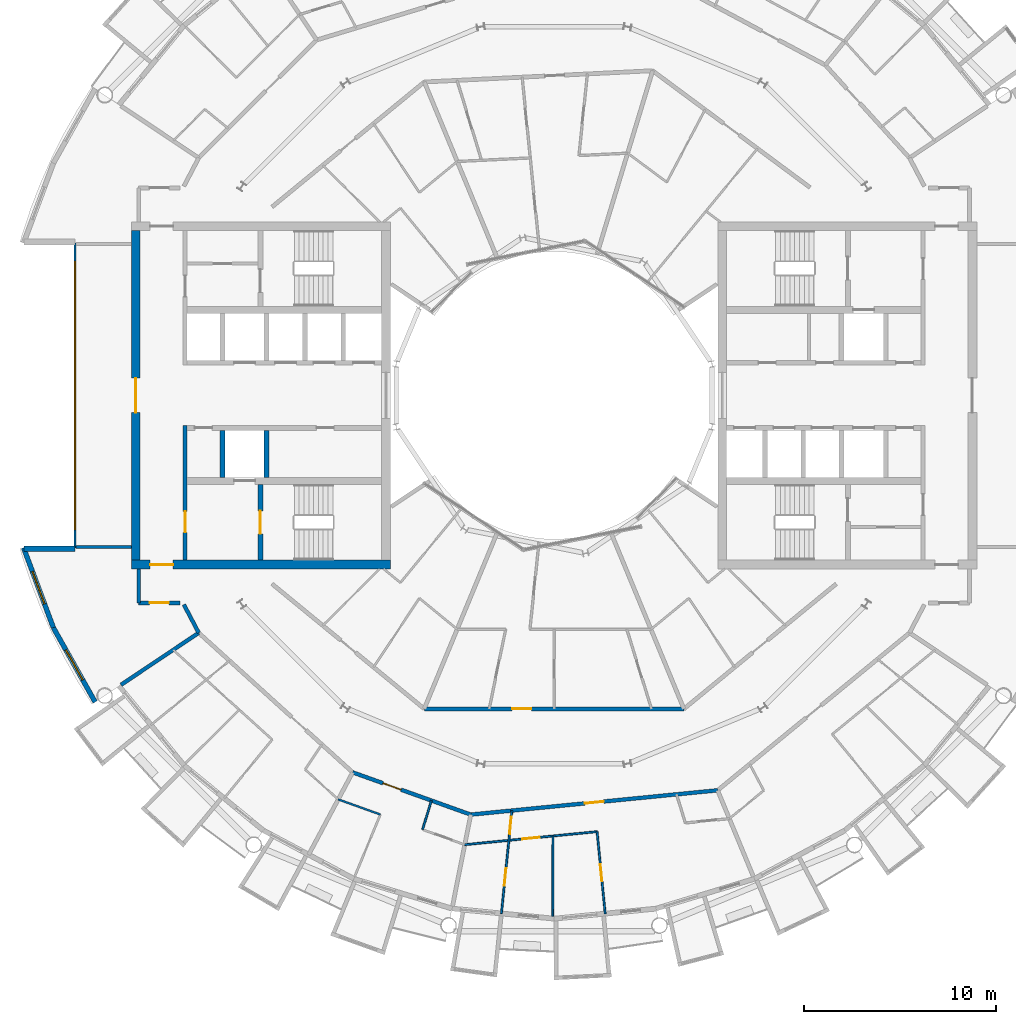
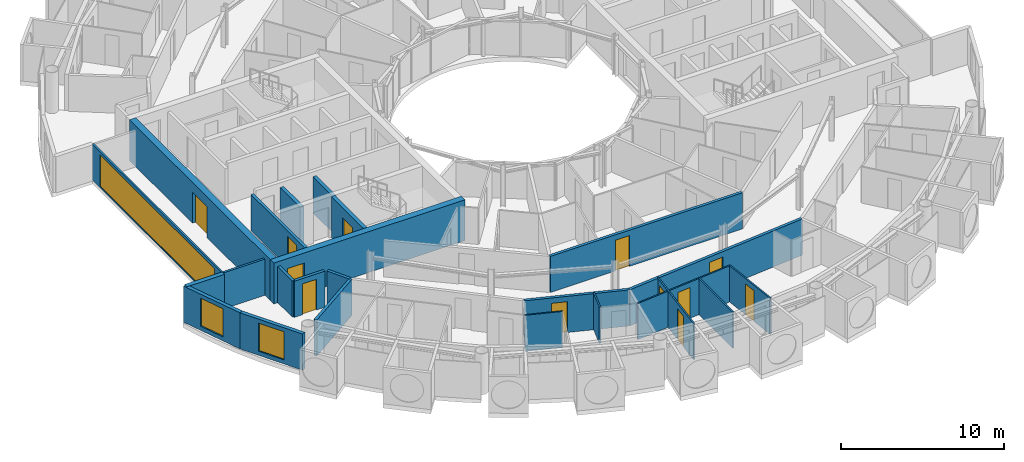
# One storey, part 16 of 29: 24 walls, 12 doors, 3 windows, 15 openings.
"""IFC4 building model written with IfcOpenShell, lengths in metres."""

from ifc_helpers import new_model, si_unit, direction, frame, frame_2d, origin, place, context, subcontext, project, spatial, rectangle, extrude, material, layer, layer_set, type_object, element, fill, save


model = new_model("IFC4")

# Units and contexts
model_context = context("Model", 3, precision=1e-05, world=origin(), true_north=direction((0.0, 1.0)))
body_context = subcontext(model_context, "Body", "Model", "MODEL_VIEW")
ifc_project = project(units=[si_unit("LENGTHUNIT", "METRE"), si_unit("AREAUNIT", "SQUARE_METRE"), si_unit("VOLUMEUNIT", "CUBIC_METRE"), si_unit("PLANEANGLEUNIT", "RADIAN"), si_unit("MASSUNIT", "GRAM", prefix="KILO")], contexts=[model_context])

# Site, building, storey
site_placement = place(None, origin())
site = spatial("IfcSite", under=ifc_project, at=site_placement, CompositionType="ELEMENT")
building_placement = place(site_placement, origin())
building = spatial("IfcBuilding", under=site, at=building_placement, Name="Maasbend Ring Residences", CompositionType="ELEMENT")
storey_placement = place(building_placement, frame((0.0, 0.0, 202.39990234375)))
storey = spatial("IfcBuildingStorey", under=building, at=storey_placement, Name="L58", CompositionType="ELEMENT", Elevation=202.39990234375)

# Wall, opening, door
ifc_material_1 = material(Name="Concrete C50/60", Category="concrete")
ifc_layer_1 = layer(ifc_material_1, 0.25)
ifc_layer_set_1 = layer_set([ifc_layer_1], Name="Concrete C50/60")
wall_type_1 = type_object("IfcWallType", Name="CORE WALL 250 C50/60", PredefinedType="SHEAR", material=ifc_layer_set_1)
wall_1_placement = place(storey_placement, frame((-15.324951171875, -4.64990234375, 0.0), z_axis=(0.0, 0.0, 1.0), x_axis=(0.0, -1.0, 0.0)))
wall_1 = element("IfcWall", 1, at=wall_1_placement, inside=storey, type_object=wall_type_1, Name="L58 core W wall STEN", PredefinedType="SHEAR", context=body_context, shape_type="SweptSolid", body=[
    extrude(rectangle(XDim=3.9501953125, YDim=0.25, at=frame_2d((1.97509765625, 0.0))), origin(), (0.0, 0.0, 1.0), 3.050048828125),
])
opening_1_placement = place(wall_1_placement, frame((1.375, 0.0, 0.0)))
opening_1 = element("IfcOpeningElement", 2, at=opening_1_placement, cuts=wall_1, Name="Opening D-W5809", PredefinedType="OPENING", context=body_context, shape_type="SweptSolid", body=[
    extrude(rectangle(XDim=1.199951171875, YDim=2.300048828125, at=frame_2d((0.60009765625, 1.14990234375))), frame((0.0, 0.135009765625, 0.0), z_axis=(0.0, -1.0, 0.0), x_axis=(1.0, 0.0, 0.0)), (0.0, 0.0, 1.0), 0.27001953125),
])
ifc_material_2 = material(Name="Steel, powder coated", Category="steel")
door_type_1 = type_object("IfcDoorType", Name="STAIR DOOR 1200 X 2300 FD60", OperationType="NOTDEFINED", PredefinedType="DOOR", material=ifc_material_2)
door_1_placement = place(opening_1_placement, origin())
door_1 = element("IfcDoor", 3, at=door_1_placement, inside=storey, type_object=door_type_1, Name="Stair door ST-W L58", OperationType="SINGLE_SWING_LEFT", OverallHeight=2.300048828125, OverallWidth=1.199951171875, PredefinedType="DOOR", context=body_context, shape_type="SweptSolid", body=[
    extrude(rectangle(XDim=1.199951171875, YDim=2.300048828125, at=frame_2d((0.60009765625, 1.14990234375))), frame((0.0, 0.02490234375, 0.0), z_axis=(0.0, -1.0, 0.0), x_axis=(1.0, 0.0, 0.0)), (0.0, 0.0, 1.0), 0.050048828125),
])
fill(opening_1, door_1)

ifc_material_3 = material(Name="Concrete C50/60", Category="concrete")
ifc_layer_2 = layer(ifc_material_3, 0.449951171875)
ifc_layer_set_2 = layer_set([ifc_layer_2], Name="Concrete C50/60")
wall_type_2 = type_object("IfcWallType", Name="CORE WALL 450 C50/60", PredefinedType="SHEAR", material=ifc_layer_set_2)
wall_2_placement = place(storey_placement, frame((-22.050048828125, -8.824951171875, 0.0), z_axis=(0.0, 0.0, 1.0), x_axis=(1.0, 0.0, 0.0)))
wall_2 = element("IfcWall", 4, at=wall_2_placement, inside=storey, type_object=wall_type_2, Name="L58 core W wall PN", PredefinedType="SHEAR", context=body_context, shape_type="SweptSolid", body=[
    extrude(rectangle(XDim=13.5, YDim=0.449951171875, at=frame_2d((6.75, 0.0))), origin(), (0.0, 0.0, 1.0), 3.050048828125),
])
opening_2_placement = place(wall_2_placement, frame((0.97509765625, 0.0, 0.0)))
opening_2 = element("IfcOpeningElement", 5, at=opening_2_placement, cuts=wall_2, Name="Opening D-W5813", PredefinedType="OPENING", context=body_context, shape_type="SweptSolid", body=[
    extrude(rectangle(XDim=1.199951171875, YDim=2.300048828125, at=frame_2d((0.60009765625, 1.14990234375))), frame((0.0, 0.23486328125, 0.0), z_axis=(0.0, -1.0, 0.0), x_axis=(1.0, 0.0, 0.0)), (0.0, 0.0, 1.0), 0.469970703125),
])
ifc_material_4 = material(Name="Steel, powder coated", Category="steel")
door_type_2 = type_object("IfcDoorType", Name="CORRIDOR DOOR 1200 X 2300 FD30S", OperationType="NOTDEFINED", PredefinedType="DOOR", material=ifc_material_4)
door_2_placement = place(opening_2_placement, origin())
door_2 = element("IfcDoor", 6, at=door_2_placement, inside=storey, type_object=door_type_2, Name="Corridor door L58", OperationType="SINGLE_SWING_RIGHT", OverallHeight=2.300048828125, OverallWidth=1.199951171875, PredefinedType="DOOR", context=body_context, shape_type="SweptSolid", body=[
    extrude(rectangle(XDim=1.199951171875, YDim=2.300048828125, at=frame_2d((0.60009765625, 1.14990234375))), frame((0.0, 0.02490234375, 0.0), z_axis=(0.0, -1.0, 0.0), x_axis=(1.0, 0.0, 0.0)), (0.0, 0.0, 1.0), 0.050048828125),
])
fill(opening_2, door_2)

wall_3_placement = place(storey_placement, frame((-21.824951171875, -8.60009765625, 0.0), z_axis=(0.0, 0.0, 1.0), x_axis=(0.0, 1.0, 0.0)))
wall_3 = element("IfcWall", 7, at=wall_3_placement, inside=storey, type_object=wall_type_2, Name="L58 core W wall POUT", PredefinedType="SHEAR", context=body_context, shape_type="SweptSolid", body=[
    extrude(rectangle(XDim=17.2001953125, YDim=0.449951171875, at=frame_2d((8.60009765625, 0.0))), origin(), (0.0, 0.0, 1.0), 3.050048828125),
])
opening_3_placement = place(wall_3_placement, frame((7.699951171875, 0.0, 0.0)))
opening_3 = element("IfcOpeningElement", 8, at=opening_3_placement, cuts=wall_3, Name="Opening D-W5815", PredefinedType="OPENING", context=body_context, shape_type="SweptSolid", body=[
    extrude(rectangle(XDim=1.800048828125, YDim=2.300048828125, at=frame_2d((0.89990234375, 1.14990234375))), frame((0.0, 0.23486328125, 0.0), z_axis=(0.0, -1.0, 0.0), x_axis=(1.0, 0.0, 0.0)), (0.0, 0.0, 1.0), 0.469970703125),
])
ifc_material_5 = material(Name="Aluminium frame, clear glass", Category="aluminium")
door_type_3 = type_object("IfcDoorType", Name="ENTRANCE DOOR 1800 X 2300 FD60", OperationType="NOTDEFINED", PredefinedType="DOOR", material=ifc_material_5)
door_3_placement = place(opening_3_placement, origin())
door_3 = element("IfcDoor", 9, at=door_3_placement, inside=storey, type_object=door_type_3, Name="Lobby glazed door L58", OperationType="SINGLE_SWING_LEFT", OverallHeight=2.300048828125, OverallWidth=1.800048828125, PredefinedType="DOOR", context=body_context, shape_type="SweptSolid", body=[
    extrude(rectangle(XDim=1.800048828125, YDim=2.300048828125, at=frame_2d((0.89990234375, 1.14990234375))), frame((0.0, 0.02490234375, 0.0), z_axis=(0.0, -1.0, 0.0), x_axis=(1.0, 0.0, 0.0)), (0.0, 0.0, 1.0), 0.050048828125),
])
fill(opening_3, door_3)

# Wall
ifc_material_6 = material(Name="Concrete C30/37", Category="concrete")
ifc_layer_3 = layer(ifc_material_6, 0.199951171875)
ifc_layer_set_3 = layer_set([ifc_layer_3], Name="Concrete C30/37")
wall_type_3 = type_object("IfcWallType", Name="CORRIDOR WALL 200 CONCRETE", PredefinedType="PARTITIONING", material=ifc_layer_set_3)
wall_4_placement = place(storey_placement, frame((-19.31689453125, -10.9150390625, 0.0), z_axis=(0.0, 0.0, 1.0), x_axis=(0.465359652486, -0.885121683068, 0.0)))
element("IfcWall", 10, at=wall_4_placement, inside=storey, type_object=wall_type_3, Name="U-L58-w009", PredefinedType="PARTITIONING", context=body_context, shape_type="SweptSolid", body=[
    extrude(rectangle(XDim=1.665283203125, YDim=0.199951171875, at=frame_2d((0.83251953125, 0.0))), origin(), (0.0, 0.0, 1.0), 2.7001953125),
])

# Wall, opening, door
wall_5_placement = place(storey_placement, frame((-10.511962890625, -19.6669921875, 0.0), z_axis=(0.0, 0.0, 1.0), x_axis=(0.941518972512, -0.336959974478, 0.0)))
wall_5 = element("IfcWall", 11, at=wall_5_placement, inside=storey, type_object=wall_type_3, Name="U-L58-w011", PredefinedType="PARTITIONING", context=body_context, shape_type="SweptSolid", body=[
    extrude(rectangle(XDim=6.546875, YDim=0.199951171875, at=frame_2d((3.2734375, 0.0))), origin(), (0.0, 0.0, 1.0), 2.7001953125),
])
opening_4_placement = place(wall_5_placement, frame((1.681884765625, 0.0, 0.0)))
opening_4 = element("IfcOpeningElement", 12, at=opening_4_placement, cuts=wall_5, Name="Opening D-5840", PredefinedType="OPENING", context=body_context, shape_type="SweptSolid", body=[
    extrude(rectangle(XDim=1.0, YDim=2.300048828125, at=frame_2d((0.5, 1.14990234375))), frame((0.0, 0.10986328125, 0.0), z_axis=(0.0, -1.0, 0.0), x_axis=(1.0, 0.0, 0.0)), (0.0, 0.0, 1.0), 0.219970703125),
])
ifc_material_7 = material(Name="Timber, fire-rated, painted", Category="wood")
door_type_4 = type_object("IfcDoorType", Name="FLAT ENTRANCE DOOR 1000 X 2300 FIRE-RATED", OperationType="NOTDEFINED", PredefinedType="DOOR", material=ifc_material_7)
door_4_placement = place(opening_4_placement, origin())
door_4 = element("IfcDoor", 13, at=door_4_placement, inside=storey, type_object=door_type_4, Name="D-5840", OperationType="SINGLE_SWING_LEFT", OverallHeight=2.300048828125, OverallWidth=1.0, PredefinedType="DOOR", context=body_context, shape_type="SweptSolid", body=[
    extrude(rectangle(XDim=1.0, YDim=2.300048828125, at=frame_2d((0.5, 1.14990234375))), frame((0.0, 0.02490234375, 0.0), z_axis=(0.0, -1.0, 0.0), x_axis=(1.0, 0.0, 0.0)), (0.0, 0.0, 1.0), 0.050048828125),
])
fill(opening_4, door_4)

wall_6_placement = place(storey_placement, frame((-4.35498046875, -21.8720703125, 0.0), z_axis=(0.0, 0.0, 1.0), x_axis=(0.995184945277, 0.098014920772, 0.0)))
wall_6 = element("IfcWall", 14, at=wall_6_placement, inside=storey, type_object=wall_type_3, Name="U-L58-w015", PredefinedType="PARTITIONING", context=body_context, shape_type="SweptSolid", body=[
    extrude(rectangle(XDim=12.95751953125, YDim=0.199951171875, at=frame_2d((6.478759765625, 0.0))), origin(), (0.0, 0.0, 1.0), 2.7001953125),
])
opening_5_placement = place(wall_6_placement, frame((5.97802734375, 0.0, 0.0)))
opening_5 = element("IfcOpeningElement", 15, at=opening_5_placement, cuts=wall_6, Name="Opening D-5843", PredefinedType="OPENING", context=body_context, shape_type="SweptSolid", body=[
    extrude(rectangle(XDim=1.0, YDim=2.300048828125, at=frame_2d((0.5, 1.14990234375))), frame((0.0, 0.10986328125, 0.0), z_axis=(0.0, -1.0, 0.0), x_axis=(1.0, 0.0, 0.0)), (0.0, 0.0, 1.0), 0.219970703125),
])
door_5_placement = place(opening_5_placement, origin())
door_5 = element("IfcDoor", 16, at=door_5_placement, inside=storey, type_object=door_type_4, Name="D-5843", OperationType="SINGLE_SWING_LEFT", OverallHeight=2.300048828125, OverallWidth=1.0, PredefinedType="DOOR", context=body_context, shape_type="SweptSolid", body=[
    extrude(rectangle(XDim=1.0, YDim=2.300048828125, at=frame_2d((0.5, 1.14990234375))), frame((0.0, 0.02490234375, 0.0), z_axis=(0.0, -1.0, 0.0), x_axis=(1.0, 0.0, 0.0)), (0.0, 0.0, 1.0), 0.050048828125),
])
fill(opening_5, door_5)

wall_7_placement = place(storey_placement, frame((-6.77294921875, -16.35302734375, 0.0), z_axis=(0.0, 0.0, 1.0), x_axis=(1.0, 0.0, 0.0)))
wall_7 = element("IfcWall", 17, at=wall_7_placement, inside=storey, type_object=wall_type_3, Name="U-L58-w019", PredefinedType="PARTITIONING", context=body_context, shape_type="SweptSolid", body=[
    extrude(rectangle(XDim=13.5458984375, YDim=0.199951171875, at=frame_2d((6.77294921875, 0.0))), origin(), (0.0, 0.0, 1.0), 2.7001953125),
])
opening_6_placement = place(wall_7_placement, frame((4.5791015625, 0.0, 0.0)))
opening_6 = element("IfcOpeningElement", 18, at=opening_6_placement, cuts=wall_7, Name="Opening D-5859", PredefinedType="OPENING", context=body_context, shape_type="SweptSolid", body=[
    extrude(rectangle(XDim=1.0, YDim=2.300048828125, at=frame_2d((0.5, 1.14990234375))), frame((0.0, 0.10986328125, 0.0), z_axis=(0.0, -1.0, 0.0), x_axis=(1.0, 0.0, 0.0)), (0.0, 0.0, 1.0), 0.219970703125),
])
door_6_placement = place(opening_6_placement, origin())
door_6 = element("IfcDoor", 19, at=door_6_placement, inside=storey, type_object=door_type_4, Name="D-5859", OperationType="SINGLE_SWING_LEFT", OverallHeight=2.300048828125, OverallWidth=1.0, PredefinedType="DOOR", context=body_context, shape_type="SweptSolid", body=[
    extrude(rectangle(XDim=1.0, YDim=2.300048828125, at=frame_2d((0.5, 1.14990234375))), frame((0.0, 0.02490234375, 0.0), z_axis=(0.0, -1.0, 0.0), x_axis=(1.0, 0.0, 0.0)), (0.0, 0.0, 1.0), 0.050048828125),
])
fill(opening_6, door_6)

wall_8_placement = place(storey_placement, frame((-21.675048828125, -10.824951171875, 0.0), z_axis=(0.0, 0.0, 1.0), x_axis=(1.0, 0.0, 0.0)))
wall_8 = element("IfcWall", 20, at=wall_8_placement, inside=storey, type_object=wall_type_3, Name="U-L58-w026", PredefinedType="PARTITIONING", context=body_context, shape_type="SweptSolid", body=[
    extrude(rectangle(XDim=2.152099609375, YDim=0.199951171875, at=frame_2d((1.076171875, 0.0))), origin(), (0.0, 0.0, 1.0), 2.7001953125),
])
opening_7_placement = place(wall_8_placement, frame((0.575927734375, 0.0, 0.0)))
opening_7 = element("IfcOpeningElement", 21, at=opening_7_placement, cuts=wall_8, Name="Opening D-5868", PredefinedType="OPENING", context=body_context, shape_type="SweptSolid", body=[
    extrude(rectangle(XDim=1.0, YDim=2.300048828125, at=frame_2d((0.5, 1.14990234375))), frame((0.0, 0.10986328125, 0.0), z_axis=(0.0, -1.0, 0.0), x_axis=(1.0, 0.0, 0.0)), (0.0, 0.0, 1.0), 0.219970703125),
])
ifc_material_8 = material(Name="Timber, painted", Category="wood")
door_type_5 = type_object("IfcDoorType", Name="ROOM DOOR 1000 X 2300", OperationType="NOTDEFINED", PredefinedType="DOOR", material=ifc_material_8)
door_7_placement = place(opening_7_placement, origin())
door_7 = element("IfcDoor", 22, at=door_7_placement, inside=storey, type_object=door_type_5, Name="D-5868", OperationType="SINGLE_SWING_LEFT", OverallHeight=2.300048828125, OverallWidth=1.0, PredefinedType="DOOR", context=body_context, shape_type="SweptSolid", body=[
    extrude(rectangle(XDim=1.0, YDim=2.300048828125, at=frame_2d((0.5, 1.14990234375))), frame((0.0, 0.02490234375, 0.0), z_axis=(0.0, -1.0, 0.0), x_axis=(1.0, 0.0, 0.0)), (0.0, 0.0, 1.0), 0.050048828125),
])
fill(opening_7, door_7)

# Wall
wall_9_placement = place(storey_placement, frame((-21.675048828125, -10.824951171875, 0.0), z_axis=(0.0, 0.0, 1.0), x_axis=(0.0, 1.0, 0.0)))
element("IfcWall", 23, at=wall_9_placement, inside=storey, type_object=wall_type_3, Name="U-L58-w105", PredefinedType="PARTITIONING", context=body_context, shape_type="SweptSolid", body=[
    extrude(rectangle(XDim=1.77490234375, YDim=0.199951171875, at=frame_2d((0.887451171875, 0.0))), origin(), (0.0, 0.0, 1.0), 2.7001953125),
])

# Wall, opening, window
ifc_material_9 = material(Name="Aluminium clad insulated panel", Category="aluminium")
ifc_layer_4 = layer(ifc_material_9, 0.25)
ifc_layer_set_4 = layer_set([ifc_layer_4], Name="EW-HORN")
wall_type_4 = type_object("IfcWallType", Name="EW-HORN", PredefinedType="SOLIDWALL", material=ifc_layer_set_4)
wall_10_placement = place(storey_placement, frame((-27.681884765625, -7.945068359375, 0.0), z_axis=(0.0, 0.0, 1.0), x_axis=(0.349247811493, -0.937030397675, 0.0)))
wall_10 = element("IfcWall", 24, at=wall_10_placement, inside=storey, type_object=wall_type_4, Name="Horn wall 3.1", PredefinedType="SOLIDWALL", context=body_context, shape_type="SweptSolid", body=[
    extrude(rectangle(XDim=4.4521484375, YDim=0.25, at=frame_2d((2.22607421875, 0.0))), origin(), (0.0, 0.0, 1.0), 2.7001953125),
])
opening_8_placement = place(wall_10_placement, frame((1.32666015625, 0.0, 0.300048828125)))
opening_8 = element("IfcOpeningElement", 25, at=opening_8_placement, cuts=wall_10, Name="Opening W-BX", PredefinedType="OPENING", context=body_context, shape_type="SweptSolid", body=[
    extrude(rectangle(XDim=1.800048828125, YDim=2.10009765625, at=frame_2d((0.89990234375, 1.050048828125))), frame((0.0, 0.135009765625, 0.0), z_axis=(0.0, -1.0, 0.0), x_axis=(1.0, 0.0, 0.0)), (0.0, 0.0, 1.0), 0.27001953125),
])
ifc_material_10 = material(Name="Aluminium and clear glass", Category="aluminium")
window_type_1 = type_object("IfcWindowType", Name="W-BX", PartitioningType="DOUBLE_PANEL_VERTICAL", PredefinedType="WINDOW", material=ifc_material_10)
window_1_placement = place(opening_8_placement, origin())
window_1 = element("IfcWindow", 26, at=window_1_placement, inside=storey, type_object=window_type_1, Name="Horn window 3.1", OverallHeight=2.10009765625, OverallWidth=1.800048828125, PartitioningType="SINGLE_PANEL", PredefinedType="WINDOW", context=body_context, shape_type="SweptSolid", body=[
    extrude(rectangle(XDim=1.800048828125, YDim=2.10009765625, at=frame_2d((0.89990234375, 1.050048828125))), frame((0.0, 0.030029296875, 0.0), z_axis=(0.0, -1.0, 0.0), x_axis=(1.0, 0.0, 0.0)), (0.0, 0.0, 1.0), 0.06005859375),
])
fill(opening_8, window_1)

wall_11_placement = place(storey_placement, frame((-26.126953125, -12.116943359375, 0.0), z_axis=(0.0, 0.0, 1.0), x_axis=(0.489696356642, -0.871893042919, 0.0)))
wall_11 = element("IfcWall", 27, at=wall_11_placement, inside=storey, type_object=wall_type_4, Name="Horn wall 3.2", PredefinedType="SOLIDWALL", context=body_context, shape_type="SweptSolid", body=[
    extrude(rectangle(XDim=4.45361328125, YDim=0.25, at=frame_2d((2.226806640625, 0.0))), origin(), (0.0, 0.0, 1.0), 2.7001953125),
])
opening_9_placement = place(wall_11_placement, frame((1.32666015625, 0.0, 0.300048828125)))
opening_9 = element("IfcOpeningElement", 28, at=opening_9_placement, cuts=wall_11, Name="Opening W-BX", PredefinedType="OPENING", context=body_context, shape_type="SweptSolid", body=[
    extrude(rectangle(XDim=1.800048828125, YDim=2.10009765625, at=frame_2d((0.89990234375, 1.050048828125))), frame((0.0, 0.135009765625, 0.0), z_axis=(0.0, -1.0, 0.0), x_axis=(1.0, 0.0, 0.0)), (0.0, 0.0, 1.0), 0.27001953125),
])
window_2_placement = place(opening_9_placement, origin())
window_2 = element("IfcWindow", 29, at=window_2_placement, inside=storey, type_object=window_type_1, Name="Horn window 3.2", OverallHeight=2.10009765625, OverallWidth=1.800048828125, PartitioningType="SINGLE_PANEL", PredefinedType="WINDOW", context=body_context, shape_type="SweptSolid", body=[
    extrude(rectangle(XDim=1.800048828125, YDim=2.10009765625, at=frame_2d((0.89990234375, 1.050048828125))), frame((0.0, 0.030029296875, 0.0), z_axis=(0.0, -1.0, 0.0), x_axis=(1.0, 0.0, 0.0)), (0.0, 0.0, 1.0), 0.06005859375),
])
fill(opening_9, window_2)

# Wall
ifc_material_11 = material(Name="Aluminium clad insulated panel", Category="aluminium")
ifc_layer_5 = layer(ifc_material_11, 0.300048828125)
ifc_layer_set_5 = layer_set([ifc_layer_5], Name="EW-RET")
wall_type_5 = type_object("IfcWallType", Name="EW-RET", PredefinedType="SOLIDWALL", material=ifc_layer_set_5)
wall_12_placement = place(storey_placement, frame((-25.0, -8.0, 0.0), z_axis=(0.0, 0.0, 1.0), x_axis=(-1.0, 0.0, 0.0)))
element("IfcWall", 30, at=wall_12_placement, inside=storey, type_object=wall_type_5, Name="Notch return wall west south", PredefinedType="SOLIDWALL", context=body_context, shape_type="SweptSolid", body=[
    extrude(rectangle(XDim=2.6669921875, YDim=0.300048828125, at=frame_2d((1.33349609375, 0.0))), origin(), (0.0, 0.0, 1.0), 2.7001953125),
])

# Wall, opening, window
ifc_material_12 = material(Name="Aluminium frame and clear glass", Category="aluminium")
ifc_layer_6 = layer(ifc_material_12, 0.1201171875)
ifc_layer_set_6 = layer_set([ifc_layer_6], Name="GLAZED SCREEN WALL 120 EI 60")
wall_type_6 = type_object("IfcWallType", Name="GLAZED SCREEN WALL 120 EI 60", PredefinedType="PARTITIONING", material=ifc_layer_set_6)
wall_13_placement = place(storey_placement, frame((-25.0, 7.949951171875, 0.0), z_axis=(0.0, 0.0, 1.0), x_axis=(0.0, -1.0, 0.0)))
wall_13 = element("IfcWall", 31, at=wall_13_placement, inside=storey, type_object=wall_type_6, Name="L58 core W wall FACE", PredefinedType="PARTITIONING", context=body_context, shape_type="SweptSolid", body=[
    extrude(rectangle(XDim=15.89990234375, YDim=0.1201171875, at=frame_2d((7.949951171875, 0.0))), origin(), (0.0, 0.0, 1.0), 2.7001953125),
])
opening_10_placement = place(wall_13_placement, frame((0.949951171875, 0.0, 0.10009765625)))
opening_10 = element("IfcOpeningElement", 32, at=opening_10_placement, cuts=wall_13, Name="Opening W-W5802", PredefinedType="OPENING", context=body_context, shape_type="SweptSolid", body=[
    extrude(rectangle(XDim=14.0, YDim=2.35009765625, at=frame_2d((7.0, 1.175048828125))), frame((0.0, 0.070068359375, 0.0), z_axis=(0.0, -1.0, 0.0), x_axis=(1.0, 0.0, 0.0)), (0.0, 0.0, 1.0), 0.14013671875),
])
ifc_material_13 = material(Name="Aluminium frame and clear glass", Category="aluminium")
window_type_2 = type_object("IfcWindowType", Name="FIXED WINDOW 14000 X 2350", PartitioningType="SINGLE_PANEL", PredefinedType="WINDOW", material=ifc_material_13)
window_3_placement = place(opening_10_placement, origin())
window_3 = element("IfcWindow", 33, at=window_3_placement, inside=storey, type_object=window_type_2, Name="Lobby window L58", OverallHeight=2.35009765625, OverallWidth=14.0, PartitioningType="SINGLE_PANEL", PredefinedType="WINDOW", context=body_context, shape_type="SweptSolid", body=[
    extrude(rectangle(XDim=14.0, YDim=2.35009765625, at=frame_2d((7.0, 1.175048828125))), frame((0.0, 0.030029296875, 0.0), z_axis=(0.0, -1.0, 0.0), x_axis=(1.0, 0.0, 0.0)), (0.0, 0.0, 1.0), 0.06005859375),
])
fill(opening_10, window_3)

# Wall
ifc_material_14 = material(Name="Gypsum board on steel studs", Category="steel")
ifc_layer_7 = layer(ifc_material_14, 0.10009765625)
ifc_layer_set_7 = layer_set([ifc_layer_7], Name="PARTITION 100 GYPSUM")
wall_type_7 = type_object("IfcWallType", Name="PARTITION 100 GYPSUM", PredefinedType="PARTITIONING", material=ifc_layer_set_7)
wall_14_placement = place(storey_placement, frame((-11.26611328125, -21.077880859375, 0.0), z_axis=(0.0, 0.0, 1.0), x_axis=(0.941477019106, -0.337077175873, 0.0)))
element("IfcWall", 34, at=wall_14_placement, inside=storey, type_object=wall_type_7, Name="U-L58-w001", PredefinedType="PARTITIONING", context=body_context, shape_type="SweptSolid", body=[
    extrude(rectangle(XDim=2.337890625, YDim=0.10009765625, at=frame_2d((1.1689453125, 0.0))), origin(), (0.0, 0.0, 1.0), 2.7001953125),
])

# Wall, opening, door
wall_15_placement = place(storey_placement, frame((-4.6669921875, -23.44091796875, 0.0), z_axis=(0.0, 0.0, 1.0), x_axis=(0.995185674562, 0.098007515761, 0.0)))
wall_15 = element("IfcWall", 35, at=wall_15_placement, inside=storey, type_object=wall_type_7, Name="U-L58-w005", PredefinedType="PARTITIONING", context=body_context, shape_type="SweptSolid", body=[
    extrude(rectangle(XDim=6.947509765625, YDim=0.10009765625, at=frame_2d((3.4736328125, 0.0))), origin(), (0.0, 0.0, 1.0), 2.7001953125),
])
opening_11_placement = place(wall_15_placement, frame((3.02099609375, 0.0, 0.0)))
opening_11 = element("IfcOpeningElement", 36, at=opening_11_placement, cuts=wall_15, Name="Opening D-5847", PredefinedType="OPENING", context=body_context, shape_type="SweptSolid", body=[
    extrude(rectangle(XDim=0.89990234375, YDim=2.300048828125, at=frame_2d((0.449951171875, 1.14990234375))), frame((0.0, 0.06005859375, 0.0), z_axis=(0.0, -1.0, 0.0), x_axis=(1.0, 0.0, 0.0)), (0.0, 0.0, 1.0), 0.1201171875),
])
ifc_material_15 = material(Name="Timber, painted", Category="wood")
door_type_6 = type_object("IfcDoorType", Name="INTERNAL DOOR 900 X 2300", OperationType="NOTDEFINED", PredefinedType="DOOR", material=ifc_material_15)
door_8_placement = place(opening_11_placement, origin())
door_8 = element("IfcDoor", 37, at=door_8_placement, inside=storey, type_object=door_type_6, Name="D-5847", OperationType="SINGLE_SWING_LEFT", OverallHeight=2.300048828125, OverallWidth=0.89990234375, PredefinedType="DOOR", context=body_context, shape_type="SweptSolid", body=[
    extrude(rectangle(XDim=0.89990234375, YDim=2.300048828125, at=frame_2d((0.449951171875, 1.14990234375))), frame((0.0, 0.02490234375, 0.0), z_axis=(0.0, -1.0, 0.0), x_axis=(1.0, 0.0, 0.0)), (0.0, 0.0, 1.0), 0.050048828125),
])
fill(opening_11, door_8)

# Wall
wall_16_placement = place(storey_placement, frame((-6.864013671875, -22.653076171875, 0.0), z_axis=(0.0, 0.0, 1.0), x_axis=(0.290315311421, 0.956931042424, 0.0)))
element("IfcWall", 38, at=wall_16_placement, inside=storey, type_object=wall_type_7, Name="U-L58-w031", PredefinedType="PARTITIONING", context=body_context, shape_type="SweptSolid", body=[
    extrude(rectangle(XDim=1.584228515625, YDim=0.10009765625, at=frame_2d((0.7919921875, 0.0))), origin(), (0.0, 0.0, 1.0), 2.7001953125),
])

# Wall, openings, doors
wall_17_placement = place(storey_placement, frame((-2.75, -27.035888671875, 0.0), z_axis=(0.0, 0.0, 1.0), x_axis=(0.101248136141, 0.994861203851, 0.0)))
wall_17 = element("IfcWall", 39, at=wall_17_placement, inside=storey, type_object=wall_type_7, Name="U-L58-w058", PredefinedType="PARTITIONING", context=body_context, shape_type="SweptSolid", body=[
    extrude(rectangle(XDim=5.40380859375, YDim=0.10009765625, at=frame_2d((2.701904296875, 0.0))), origin(), (0.0, 0.0, 1.0), 2.7001953125),
])
opening_12_placement = place(wall_17_placement, frame((4.173095703125, 0.0, 0.0)))
opening_12 = element("IfcOpeningElement", 40, at=opening_12_placement, cuts=wall_17, Name="Opening D-5845", PredefinedType="OPENING", context=body_context, shape_type="SweptSolid", body=[
    extrude(rectangle(XDim=0.89990234375, YDim=2.300048828125, at=frame_2d((0.449951171875, 1.14990234375))), frame((0.0, 0.06005859375, 0.0), z_axis=(0.0, -1.0, 0.0), x_axis=(1.0, 0.0, 0.0)), (0.0, 0.0, 1.0), 0.1201171875),
])
opening_13_placement = place(wall_17_placement, frame((1.470947265625, 0.0, 0.0)))
opening_13 = element("IfcOpeningElement", 41, at=opening_13_placement, cuts=wall_17, Name="Opening D-5848", PredefinedType="OPENING", context=body_context, shape_type="SweptSolid", body=[
    extrude(rectangle(XDim=0.89990234375, YDim=2.300048828125, at=frame_2d((0.449951171875, 1.14990234375))), frame((0.0, 0.06005859375, 0.0), z_axis=(0.0, -1.0, 0.0), x_axis=(1.0, 0.0, 0.0)), (0.0, 0.0, 1.0), 0.1201171875),
])
door_9_placement = place(opening_12_placement, origin())
door_9 = element("IfcDoor", 42, at=door_9_placement, inside=storey, type_object=door_type_6, Name="D-5845", OperationType="SINGLE_SWING_RIGHT", OverallHeight=2.300048828125, OverallWidth=0.89990234375, PredefinedType="DOOR", context=body_context, shape_type="SweptSolid", body=[
    extrude(rectangle(XDim=0.89990234375, YDim=2.300048828125, at=frame_2d((0.449951171875, 1.14990234375))), frame((0.0, 0.02490234375, 0.0), z_axis=(0.0, -1.0, 0.0), x_axis=(1.0, 0.0, 0.0)), (0.0, 0.0, 1.0), 0.050048828125),
])
fill(opening_12, door_9)
door_10_placement = place(opening_13_placement, origin())
door_10 = element("IfcDoor", 43, at=door_10_placement, inside=storey, type_object=door_type_6, Name="D-5848", OperationType="SINGLE_SWING_LEFT", OverallHeight=2.300048828125, OverallWidth=0.89990234375, PredefinedType="DOOR", context=body_context, shape_type="SweptSolid", body=[
    extrude(rectangle(XDim=0.89990234375, YDim=2.300048828125, at=frame_2d((0.449951171875, 1.14990234375))), frame((0.0, 0.02490234375, 0.0), z_axis=(0.0, -1.0, 0.0), x_axis=(1.0, 0.0, 0.0)), (0.0, 0.0, 1.0), 0.050048828125),
])
fill(opening_13, door_10)

# Wall
wall_18_placement = place(storey_placement, frame((-0.071044921875, -27.175048828125, 0.0), z_axis=(0.0, 0.0, 1.0), x_axis=(0.002623285832, 0.99999655918, 0.0)))
element("IfcWall", 44, at=wall_18_placement, inside=storey, type_object=wall_type_7, Name="U-L58-w062", PredefinedType="PARTITIONING", context=body_context, shape_type="SweptSolid", body=[
    extrude(rectangle(XDim=4.18798828125, YDim=0.10009765625, at=frame_2d((2.093994140625, 0.0))), origin(), (0.0, 0.0, 1.0), 2.7001953125),
])

# Wall, opening, door
wall_19_placement = place(storey_placement, frame((2.241943359375, -22.760986328125, 0.0), z_axis=(0.0, 0.0, 1.0), x_axis=(0.098082610705, -0.995178276229, 0.0)))
wall_19 = element("IfcWall", 45, at=wall_19_placement, inside=storey, type_object=wall_type_7, Name="U-L58-w066", PredefinedType="PARTITIONING", context=body_context, shape_type="SweptSolid", body=[
    extrude(rectangle(XDim=4.3037109375, YDim=0.10009765625, at=frame_2d((2.15185546875, 0.0))), origin(), (0.0, 0.0, 1.0), 2.7001953125),
])
opening_14_placement = place(wall_19_placement, frame((1.701904296875, 0.0, 0.0)))
opening_14 = element("IfcOpeningElement", 46, at=opening_14_placement, cuts=wall_19, Name="Opening D-5846", PredefinedType="OPENING", context=body_context, shape_type="SweptSolid", body=[
    extrude(rectangle(XDim=0.89990234375, YDim=2.300048828125, at=frame_2d((0.449951171875, 1.14990234375))), frame((0.0, 0.06005859375, 0.0), z_axis=(0.0, -1.0, 0.0), x_axis=(1.0, 0.0, 0.0)), (0.0, 0.0, 1.0), 0.1201171875),
])
door_11_placement = place(opening_14_placement, origin())
door_11 = element("IfcDoor", 47, at=door_11_placement, inside=storey, type_object=door_type_6, Name="D-5846", OperationType="SINGLE_SWING_LEFT", OverallHeight=2.300048828125, OverallWidth=0.89990234375, PredefinedType="DOOR", context=body_context, shape_type="SweptSolid", body=[
    extrude(rectangle(XDim=0.89990234375, YDim=2.300048828125, at=frame_2d((0.449951171875, 1.14990234375))), frame((0.0, 0.02490234375, 0.0), z_axis=(0.0, -1.0, 0.0), x_axis=(1.0, 0.0, 0.0)), (0.0, 0.0, 1.0), 0.050048828125),
])
fill(opening_14, door_11)

# Walls
ifc_material_16 = material(Name="Gypsum board on steel studs", Category="steel")
ifc_layer_8 = layer(ifc_material_16, 0.14990234375)
ifc_layer_set_8 = layer_set([ifc_layer_8], Name="PARTITION 150 EI 60")
wall_type_8 = type_object("IfcWallType", Name="PARTITION 150 EI 60", PredefinedType="PARTITIONING", material=ifc_layer_set_8)
wall_20_placement = place(storey_placement, frame((-22.050048828125, -7.89990234375, 0.0), z_axis=(0.0, 0.0, 1.0), x_axis=(-1.0, 0.0, 0.0)))
element("IfcWall", 48, at=wall_20_placement, inside=storey, type_object=wall_type_8, Name="L58 core W wall CITN", PredefinedType="PARTITIONING", context=body_context, shape_type="SweptSolid", body=[
    extrude(rectangle(XDim=2.889892578125, YDim=0.14990234375, at=frame_2d((1.44482421875, 0.0))), origin(), (0.0, 0.0, 1.0), 2.7001953125),
])
ifc_material_17 = material(Name="Concrete C30/37", Category="concrete")
ifc_layer_9 = layer(ifc_material_17, 0.199951171875)
ifc_layer_set_9 = layer_set([ifc_layer_9], Name="Concrete C30/37")
wall_type_9 = type_object("IfcWallType", Name="PARTY WALL 200 CONCRETE", PredefinedType="PARTITIONING", material=ifc_layer_set_9)
wall_21_placement = place(storey_placement, frame((-22.594970703125, -15.097900390625, 0.0), z_axis=(0.0, 0.0, 1.0), x_axis=(0.831387096605, 0.55569370664, 0.0)))
element("IfcWall", 49, at=wall_21_placement, inside=storey, type_object=wall_type_9, Name="U-L58-w035", PredefinedType="PARTITIONING", context=body_context, shape_type="SweptSolid", body=[
    extrude(rectangle(XDim=4.875, YDim=0.199951171875, at=frame_2d((2.4375, 0.0))), origin(), (0.0, 0.0, 1.0), 2.7001953125),
])

# Wall, opening, door
ifc_material_18 = material(Name="Concrete C30/37", Category="concrete")
ifc_layer_10 = layer(ifc_material_18, 0.199951171875)
ifc_layer_set_10 = layer_set([ifc_layer_10], Name="Concrete C30/37")
wall_type_10 = type_object("IfcWallType", Name="SHAFT WALL 200 EI 120", PredefinedType="SOLIDWALL", material=ifc_layer_set_10)
wall_22_placement = place(storey_placement, frame((-19.25, -1.574951171875, 0.0), z_axis=(0.0, 0.0, 1.0), x_axis=(0.0, -1.0, 0.0)))
wall_22 = element("IfcWall", 50, at=wall_22_placement, inside=storey, type_object=wall_type_10, Name="L58 core W wall ENDN", PredefinedType="SOLIDWALL", context=body_context, shape_type="SweptSolid", body=[
    extrude(rectangle(XDim=7.025146484375, YDim=0.199951171875, at=frame_2d((3.5126953125, 0.0))), origin(), (0.0, 0.0, 1.0), 2.7001953125),
])
opening_15_placement = place(wall_22_placement, frame((4.47509765625, 0.0, 0.0)))
opening_15 = element("IfcOpeningElement", 51, at=opening_15_placement, cuts=wall_22, Name="Opening D-W5811", PredefinedType="OPENING", context=body_context, shape_type="SweptSolid", body=[
    extrude(rectangle(XDim=1.10009765625, YDim=2.300048828125, at=frame_2d((0.550048828125, 1.14990234375))), frame((0.0, 0.10986328125, 0.0), z_axis=(0.0, -1.0, 0.0), x_axis=(1.0, 0.0, 0.0)), (0.0, 0.0, 1.0), 0.219970703125),
])
ifc_material_19 = material(Name="Steel, powder coated", Category="steel")
door_type_7 = type_object("IfcDoorType", Name="LOBBY DOOR 1100 X 2300 FD60", OperationType="NOTDEFINED", PredefinedType="DOOR", material=ifc_material_19)
door_12_placement = place(opening_15_placement, origin())
door_12 = element("IfcDoor", 52, at=door_12_placement, inside=storey, type_object=door_type_7, Name="Lobby door L58", OperationType="SINGLE_SWING_LEFT", OverallHeight=2.300048828125, OverallWidth=1.10009765625, PredefinedType="DOOR", context=body_context, shape_type="SweptSolid", body=[
    extrude(rectangle(XDim=1.10009765625, YDim=2.300048828125, at=frame_2d((0.550048828125, 1.14990234375))), frame((0.0, 0.02490234375, 0.0), z_axis=(0.0, -1.0, 0.0), x_axis=(1.0, 0.0, 0.0)), (0.0, 0.0, 1.0), 0.050048828125),
])
fill(opening_15, door_12)

# Walls
ifc_material_20 = material(Name="Concrete C30/37", Category="concrete")
ifc_layer_11 = layer(ifc_material_20, 0.25)
ifc_layer_set_11 = layer_set([ifc_layer_11], Name="Concrete C30/37")
wall_type_11 = type_object("IfcWallType", Name="SHAFT WALL 250 EI 120", PredefinedType="SOLIDWALL", material=ifc_layer_set_11)
for number, where, z_axis, x_axis, name in (
    (53, (-15.0, -1.824951171875, 0.0), (0.0, 0.0, 1.0), (0.0, -1.0, 0.0), "L58 core W wall D150N"),
    (54, (-17.300048828125, -1.824951171875, 0.0), (0.0, 0.0, 1.0), (0.0, -1.0, 0.0), "L58 core W wall D173N"),
):
    element("IfcWall", number, at=place(storey_placement, frame(where, z_axis=z_axis, x_axis=x_axis)), inside=storey, type_object=wall_type_11, Name=name, PredefinedType="SOLIDWALL", context=body_context, shape_type="SweptSolid", body=[
        extrude(rectangle(XDim=2.449951171875, YDim=0.25, at=frame_2d((1.22509765625, 0.0))), origin(), (0.0, 0.0, 1.0), 2.7001953125),
    ])

save(model, "model.ifc")
